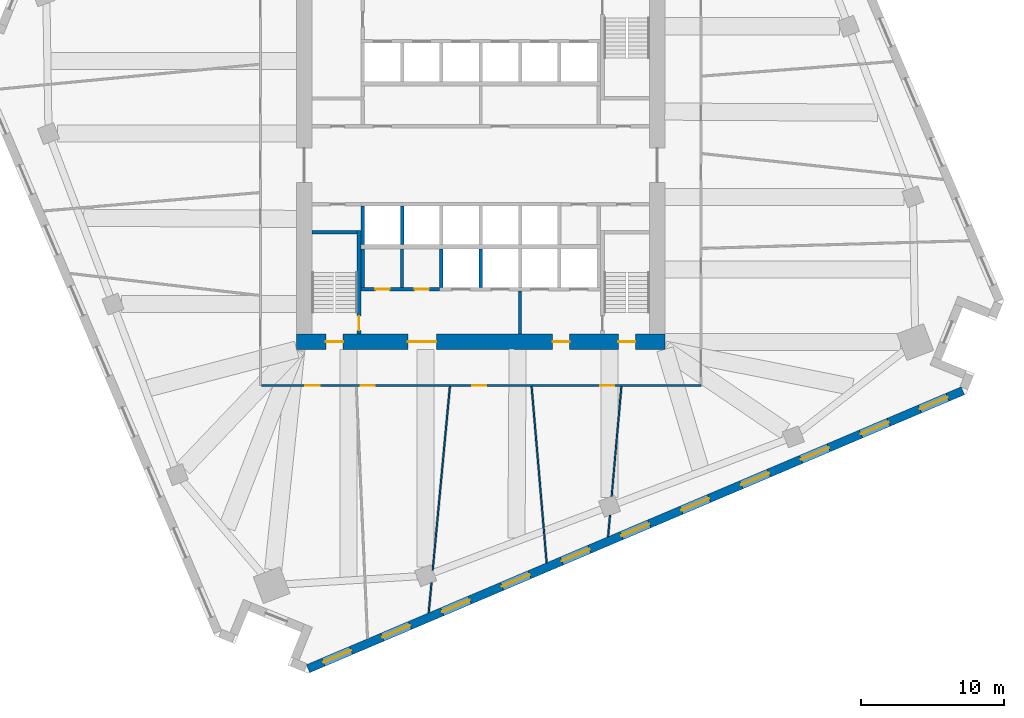
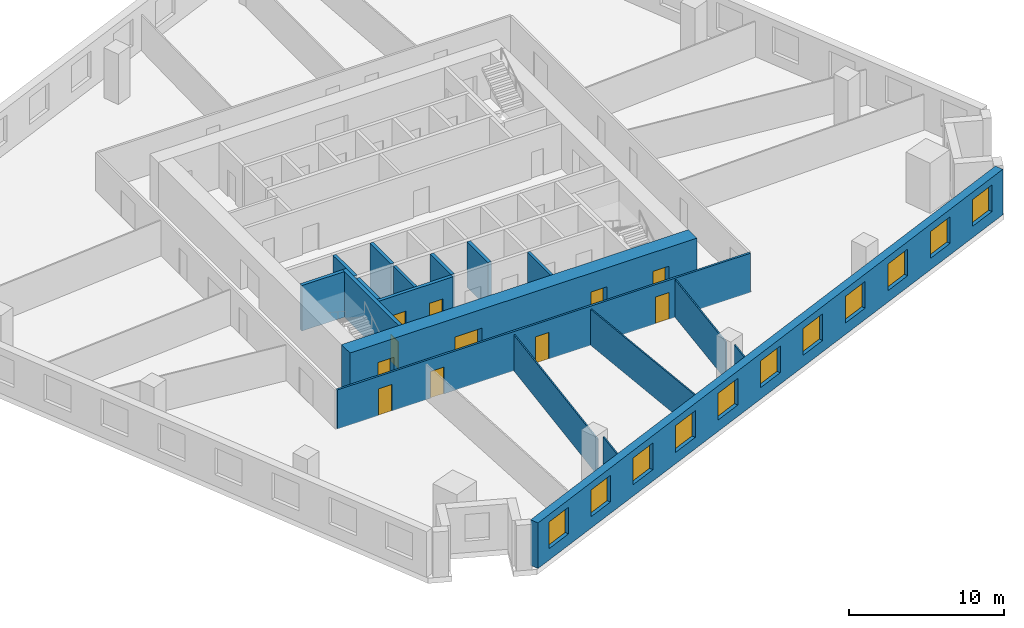
# One storey, part 6 of 12: 18 walls, 11 doors, 11 windows, 22 openings.
"""IFC4 building model written with IfcOpenShell, lengths in metres."""

from ifc_helpers import new_model, si_unit, direction, frame, frame_2d, origin, place, context, subcontext, project, spatial, rectangle, extrude, material, layer, layer_set, type_object, element, fill, save


model = new_model("IFC4")

# Units and contexts
model_context = context("Model", 3, precision=1e-05, world=origin(), true_north=direction((0.0, 1.0)))
body_context = subcontext(model_context, "Body", "Model", "MODEL_VIEW")
ifc_project = project(units=[si_unit("LENGTHUNIT", "METRE"), si_unit("AREAUNIT", "SQUARE_METRE"), si_unit("VOLUMEUNIT", "CUBIC_METRE"), si_unit("PLANEANGLEUNIT", "RADIAN"), si_unit("MASSUNIT", "GRAM", prefix="KILO")], contexts=[model_context])

# Site, building, storey
site_placement = place(None, origin())
site = spatial("IfcSite", under=ifc_project, at=site_placement, CompositionType="ELEMENT")
building_placement = place(site_placement, origin())
building = spatial("IfcBuilding", under=site, at=building_placement, Name="Dilmun Exchange Tower", CompositionType="ELEMENT")
storey_placement = place(building_placement, frame((0.0, 0.0, 118.10009765625)))
storey = spatial("IfcBuildingStorey", under=building, at=storey_placement, Name="L27", CompositionType="ELEMENT", Elevation=118.10009765625)

# Walls
ifc_material_1 = material(Name="Concrete C40/50", Category="concrete")
ifc_layer_1 = layer(ifc_material_1, 0.199951171875)
ifc_layer_set_1 = layer_set([ifc_layer_1], Name="Concrete C40/50")
wall_type_1 = type_object("IfcWallType", Name="Core partition wall 200", PredefinedType="PARTITIONING", material=ifc_layer_set_1)
wall_1_placement = place(storey_placement, frame((2.75, -11.794921875, 0.0), z_axis=(0.0, 0.0, 1.0), x_axis=(0.0, 1.0, 0.0)))
element("IfcWall", 1, at=wall_1_placement, inside=storey, type_object=wall_type_1, Name="L27 core partition wall 01", PredefinedType="PARTITIONING", context=body_context, shape_type="SweptSolid", body=[
    extrude(rectangle(XDim=2.989990234375, YDim=0.199951171875, at=frame_2d((1.4951171875, 0.0))), origin(), (0.0, 0.0, 1.0), 3.579833984375),
])
wall_2_placement = place(storey_placement, frame((-5.5, -8.544921875, 0.0), z_axis=(0.0, 0.0, 1.0), x_axis=(0.0, 1.0, 0.0)))
element("IfcWall", 2, at=wall_2_placement, inside=storey, type_object=wall_type_1, Name="L27 core partition wall 04", PredefinedType="PARTITIONING", context=body_context, shape_type="SweptSolid", body=[
    extrude(rectangle(XDim=2.68994140625, YDim=0.199951171875, at=frame_2d((1.344970703125, 0.0))), origin(), (0.0, 0.0, 1.0), 3.579833984375),
])

# Wall, openings, doors
ifc_layer_2 = layer(ifc_material_1, 0.25)
ifc_layer_set_2 = layer_set([ifc_layer_2], Name="Concrete C40/50")
wall_type_2 = type_object("IfcWallType", Name="Core partition wall 250", PredefinedType="PARTITIONING", material=ifc_layer_set_2)
wall_3_placement = place(storey_placement, frame((-8.3701171875, -8.675048828125, 0.0), z_axis=(0.0, 0.0, 1.0), x_axis=(1.0, 0.0, 0.0)))
wall_3 = element("IfcWall", 3, at=wall_3_placement, inside=storey, type_object=wall_type_2, Name="L27 core partition wall 02", PredefinedType="PARTITIONING", context=body_context, shape_type="SweptSolid", body=[
    extrude(rectangle(XDim=5.490234375, YDim=0.25, at=frame_2d((2.7451171875, 0.0))), origin(), (0.0, 0.0, 1.0), 3.579833984375),
])
opening_1_placement = place(wall_3_placement, frame((0.9951171875, 0.0, 0.0)))
opening_1 = element("IfcOpeningElement", 4, at=opening_1_placement, cuts=wall_3, Name="Opening CD4", PredefinedType="OPENING", context=body_context, shape_type="SweptSolid", body=[
    extrude(rectangle(XDim=1.0, YDim=2.10009765625, at=frame_2d((0.5, 1.050048828125))), frame((0.0, 0.135009765625, 0.0), z_axis=(0.0, -1.0, 0.0), x_axis=(1.0, 0.0, 0.0)), (0.0, 0.0, 1.0), 0.27001953125),
])
opening_2_placement = place(wall_3_placement, frame((3.7451171875, 0.0, 0.0)))
opening_2 = element("IfcOpeningElement", 5, at=opening_2_placement, cuts=wall_3, Name="Opening CD4", PredefinedType="OPENING", context=body_context, shape_type="SweptSolid", body=[
    extrude(rectangle(XDim=1.0, YDim=2.10009765625, at=frame_2d((0.5, 1.050048828125))), frame((0.0, 0.135009765625, 0.0), z_axis=(0.0, -1.0, 0.0), x_axis=(1.0, 0.0, 0.0)), (0.0, 0.0, 1.0), 0.27001953125),
])
ifc_material_2 = material(Name="Fire-rated steel door set", Category="steel")
door_type_1 = type_object("IfcDoorType", Name="Core room door 1000x2100", OperationType="SINGLE_SWING_LEFT", PredefinedType="DOOR", material=ifc_material_2)
door_1_placement = place(opening_1_placement, origin())
door_1 = element("IfcDoor", 6, at=door_1_placement, inside=storey, type_object=door_type_1, Name="L27 door Male WC", OperationType="SINGLE_SWING_RIGHT", OverallHeight=2.10009765625, OverallWidth=1.0, PredefinedType="DOOR", context=body_context, shape_type="SweptSolid", body=[
    extrude(rectangle(XDim=1.0, YDim=2.10009765625, at=frame_2d((0.5, 1.050048828125))), frame((0.0, 0.02490234375, 0.0), z_axis=(0.0, -1.0, 0.0), x_axis=(1.0, 0.0, 0.0)), (0.0, 0.0, 1.0), 0.050048828125),
])
fill(opening_1, door_1)
door_2_placement = place(opening_2_placement, origin())
door_2 = element("IfcDoor", 7, at=door_2_placement, inside=storey, type_object=door_type_1, Name="L27 door Female WC", OperationType="SINGLE_SWING_RIGHT", OverallHeight=2.10009765625, OverallWidth=1.0, PredefinedType="DOOR", context=body_context, shape_type="SweptSolid", body=[
    extrude(rectangle(XDim=1.0, YDim=2.10009765625, at=frame_2d((0.5, 1.050048828125))), frame((0.0, 0.02490234375, 0.0), z_axis=(0.0, -1.0, 0.0), x_axis=(1.0, 0.0, 0.0)), (0.0, 0.0, 1.0), 0.050048828125),
])
fill(opening_2, door_2)

# Wall
wall_4_placement = place(storey_placement, frame((-8.25, -8.544921875, 0.0), z_axis=(0.0, 0.0, 1.0), x_axis=(0.0, 1.0, 0.0)))
element("IfcWall", 8, at=wall_4_placement, inside=storey, type_object=wall_type_2, Name="L27 core partition wall 03", PredefinedType="PARTITIONING", context=body_context, shape_type="SweptSolid", body=[
    extrude(rectangle(XDim=2.68994140625, YDim=0.25, at=frame_2d((1.344970703125, 0.0))), origin(), (0.0, 0.0, 1.0), 3.579833984375),
])

# Wall, openings, doors
ifc_material_3 = material(Name="Concrete C80/95", Category="concrete")
ifc_layer_3 = layer(ifc_material_3, 1.10009765625)
ifc_layer_set_3 = layer_set([ifc_layer_3], Name="Concrete C80/95")
wall_type_3 = type_object("IfcWallType", Name="Core shear wall 1100 Concrete C80/95", PredefinedType="SHEAR", material=ifc_layer_set_3)
wall_5_placement = place(storey_placement, frame((-12.89990234375, -12.35009765625, 0.0), z_axis=(0.0, 0.0, 1.0), x_axis=(1.0, 0.0, 0.0)))
wall_5 = element("IfcWall", 9, at=wall_5_placement, inside=storey, type_object=wall_type_3, Name="L27 core shear wall S", PredefinedType="SHEAR", context=body_context, shape_type="SweptSolid", body=[
    extrude(rectangle(XDim=25.7998046875, YDim=1.10009765625, at=frame_2d((12.89990234375, 0.0))), origin(), (0.0, 0.0, 1.0), 3.579833984375),
])
opening_3_placement = place(wall_5_placement, frame((7.800048828125, 0.0, 0.0)))
opening_3 = element("IfcOpeningElement", 10, at=opening_3_placement, cuts=wall_5, Name="Opening CD2", PredefinedType="OPENING", context=body_context, shape_type="SweptSolid", body=[
    extrude(rectangle(XDim=2.0, YDim=2.10009765625, at=frame_2d((1.0, 1.050048828125))), frame((0.0, 0.56005859375, 0.0), z_axis=(0.0, -1.0, 0.0), x_axis=(1.0, 0.0, 0.0)), (0.0, 0.0, 1.0), 1.1201171875),
])
opening_4_placement = place(wall_5_placement, frame((17.925048828125, 0.0, 0.0)))
opening_4 = element("IfcOpeningElement", 11, at=opening_4_placement, cuts=wall_5, Name="Opening CD3", PredefinedType="OPENING", context=body_context, shape_type="SweptSolid", body=[
    extrude(rectangle(XDim=1.199951171875, YDim=2.10009765625, at=frame_2d((0.60009765625, 1.050048828125))), frame((0.0, 0.56005859375, 0.0), z_axis=(0.0, -1.0, 0.0), x_axis=(1.0, 0.0, 0.0)), (0.0, 0.0, 1.0), 1.1201171875),
])
opening_5_placement = place(wall_5_placement, frame((2.074951171875, 0.0, 0.0)))
opening_5 = element("IfcOpeningElement", 12, at=opening_5_placement, cuts=wall_5, Name="Opening CD3", PredefinedType="OPENING", context=body_context, shape_type="SweptSolid", body=[
    extrude(rectangle(XDim=1.199951171875, YDim=2.10009765625, at=frame_2d((0.60009765625, 1.050048828125))), frame((0.0, 0.56005859375, 0.0), z_axis=(0.0, -1.0, 0.0), x_axis=(1.0, 0.0, 0.0)), (0.0, 0.0, 1.0), 1.1201171875),
])
opening_6_placement = place(wall_5_placement, frame((22.52490234375, 0.0, 0.0)))
opening_6 = element("IfcOpeningElement", 13, at=opening_6_placement, cuts=wall_5, Name="Opening CD3", PredefinedType="OPENING", context=body_context, shape_type="SweptSolid", body=[
    extrude(rectangle(XDim=1.199951171875, YDim=2.10009765625, at=frame_2d((0.60009765625, 1.050048828125))), frame((0.0, 0.56005859375, 0.0), z_axis=(0.0, -1.0, 0.0), x_axis=(1.0, 0.0, 0.0)), (0.0, 0.0, 1.0), 1.1201171875),
])
door_type_2 = type_object("IfcDoorType", Name="Core service door 2000x2100", OperationType="DOUBLE_DOOR_DOUBLE_SWING", PredefinedType="DOOR", material=ifc_material_2)
door_3_placement = place(opening_3_placement, origin())
door_3 = element("IfcDoor", 14, at=door_3_placement, inside=storey, type_object=door_type_2, Name="L27 door South service lobby", OperationType="SINGLE_SWING_LEFT", OverallHeight=2.10009765625, OverallWidth=2.0, PredefinedType="DOOR", context=body_context, shape_type="SweptSolid", body=[
    extrude(rectangle(XDim=2.0, YDim=2.10009765625, at=frame_2d((1.0, 1.050048828125))), frame((0.0, 0.02490234375, 0.0), z_axis=(0.0, -1.0, 0.0), x_axis=(1.0, 0.0, 0.0)), (0.0, 0.0, 1.0), 0.050048828125),
])
fill(opening_3, door_3)
door_type_3 = type_object("IfcDoorType", Name="Stair exit door 1200x2100", OperationType="SINGLE_SWING_LEFT", PredefinedType="DOOR", material=ifc_material_2)
door_4_placement = place(opening_4_placement, origin())
door_4 = element("IfcDoor", 15, at=door_4_placement, inside=storey, type_object=door_type_3, Name="L27 door Fire-fighting lobby", OperationType="SINGLE_SWING_LEFT", OverallHeight=2.10009765625, OverallWidth=1.199951171875, PredefinedType="DOOR", context=body_context, shape_type="SweptSolid", body=[
    extrude(rectangle(XDim=1.199951171875, YDim=2.10009765625, at=frame_2d((0.60009765625, 1.050048828125))), frame((0.0, 0.02490234375, 0.0), z_axis=(0.0, -1.0, 0.0), x_axis=(1.0, 0.0, 0.0)), (0.0, 0.0, 1.0), 0.050048828125),
])
fill(opening_4, door_4)
door_5_placement = place(opening_5_placement, origin())
door_5 = element("IfcDoor", 16, at=door_5_placement, inside=storey, type_object=door_type_3, Name="L27 door Stair ST2", OperationType="SINGLE_SWING_LEFT", OverallHeight=2.10009765625, OverallWidth=1.199951171875, PredefinedType="DOOR", context=body_context, shape_type="SweptSolid", body=[
    extrude(rectangle(XDim=1.199951171875, YDim=2.10009765625, at=frame_2d((0.60009765625, 1.050048828125))), frame((0.0, 0.02490234375, 0.0), z_axis=(0.0, -1.0, 0.0), x_axis=(1.0, 0.0, 0.0)), (0.0, 0.0, 1.0), 0.050048828125),
])
fill(opening_5, door_5)
door_6_placement = place(opening_6_placement, origin())
door_6 = element("IfcDoor", 17, at=door_6_placement, inside=storey, type_object=door_type_3, Name="L27 door Stair ST3", OperationType="SINGLE_SWING_LEFT", OverallHeight=2.10009765625, OverallWidth=1.199951171875, PredefinedType="DOOR", context=body_context, shape_type="SweptSolid", body=[
    extrude(rectangle(XDim=1.199951171875, YDim=2.10009765625, at=frame_2d((0.60009765625, 1.050048828125))), frame((0.0, 0.02490234375, 0.0), z_axis=(0.0, -1.0, 0.0), x_axis=(1.0, 0.0, 0.0)), (0.0, 0.0, 1.0), 0.050048828125),
])
fill(opening_6, door_6)

ifc_material_4 = material(Name="Corridor wall 150")
ifc_layer_4 = layer(ifc_material_4, 0.14990234375)
ifc_layer_set_4 = layer_set([ifc_layer_4], Name="Corridor wall 150")
wall_type_4 = type_object("IfcWallType", Name="Corridor wall 150", PredefinedType="PARTITIONING", material=ifc_layer_set_4)
wall_6_placement = place(storey_placement, frame((-15.324951171875, -15.39990234375, 0.0), z_axis=(0.0, 0.0, 1.0), x_axis=(1.0, 0.0, 0.0)))
wall_6 = element("IfcWall", 18, at=wall_6_placement, inside=storey, type_object=wall_type_4, Name="Corridor wall", PredefinedType="PARTITIONING", context=body_context, shape_type="SweptSolid", body=[
    extrude(rectangle(XDim=30.724853515625, YDim=0.14990234375, at=frame_2d((15.3623046875, 0.0))), origin(), (0.0, 0.0, 1.0), 3.079833984375),
])
opening_7_placement = place(wall_6_placement, frame((3.050048828125, 0.0, 0.0)))
opening_7 = element("IfcOpeningElement", 19, at=opening_7_placement, cuts=wall_6, Name="Opening TF26-D07", PredefinedType="OPENING", context=body_context, shape_type="SweptSolid", body=[
    extrude(rectangle(XDim=1.0, YDim=2.10009765625, at=frame_2d((0.5, 1.050048828125))), frame((0.0, 0.0849609375, 0.0), z_axis=(0.0, -1.0, 0.0), x_axis=(1.0, 0.0, 0.0)), (0.0, 0.0, 1.0), 0.169921875),
])
opening_8_placement = place(wall_6_placement, frame((6.91552734375, 0.0, 0.0)))
opening_8 = element("IfcOpeningElement", 20, at=opening_8_placement, cuts=wall_6, Name="Opening TF26-D08", PredefinedType="OPENING", context=body_context, shape_type="SweptSolid", body=[
    extrude(rectangle(XDim=1.0, YDim=2.10009765625, at=frame_2d((0.5, 1.050048828125))), frame((0.0, 0.0849609375, 0.0), z_axis=(0.0, -1.0, 0.0), x_axis=(1.0, 0.0, 0.0)), (0.0, 0.0, 1.0), 0.169921875),
])
opening_9_placement = place(wall_6_placement, frame((14.72216796875, 0.0, 0.0)))
opening_9 = element("IfcOpeningElement", 21, at=opening_9_placement, cuts=wall_6, Name="Opening TF26-D10", PredefinedType="OPENING", context=body_context, shape_type="SweptSolid", body=[
    extrude(rectangle(XDim=1.0, YDim=2.10009765625, at=frame_2d((0.5, 1.050048828125))), frame((0.0, 0.0849609375, 0.0), z_axis=(0.0, -1.0, 0.0), x_axis=(1.0, 0.0, 0.0)), (0.0, 0.0, 1.0), 0.169921875),
])
opening_10_placement = place(wall_6_placement, frame((23.67724609375, 0.0, 0.0)))
opening_10 = element("IfcOpeningElement", 22, at=opening_10_placement, cuts=wall_6, Name="Opening TF26-D12", PredefinedType="OPENING", context=body_context, shape_type="SweptSolid", body=[
    extrude(rectangle(XDim=1.0, YDim=2.10009765625, at=frame_2d((0.5, 1.050048828125))), frame((0.0, 0.0849609375, 0.0), z_axis=(0.0, -1.0, 0.0), x_axis=(1.0, 0.0, 0.0)), (0.0, 0.0, 1.0), 0.169921875),
])
ifc_material_5 = material(Name="Fire door 1000 x 2100")
door_type_4 = type_object("IfcDoorType", Name="Fire door 1000 x 2100", OperationType="NOTDEFINED", PredefinedType="DOOR", material=ifc_material_5)
door_7_placement = place(opening_7_placement, frame((1.0, 0.0, 0.0), z_axis=(0.0, 0.0, 1.0), x_axis=(-1.0, 0.0, 0.0)))
door_7 = element("IfcDoor", 23, at=door_7_placement, inside=storey, type_object=door_type_4, Name="Door TF26-D07", OperationType="SINGLE_SWING_LEFT", OverallHeight=2.10009765625, OverallWidth=1.0, PredefinedType="DOOR", context=body_context, shape_type="SweptSolid", body=[
    extrude(rectangle(XDim=1.0, YDim=2.10009765625, at=frame_2d((0.5, 1.050048828125))), frame((0.0, 0.02490234375, 0.0), z_axis=(0.0, -1.0, 0.0), x_axis=(1.0, 0.0, 0.0)), (0.0, 0.0, 1.0), 0.050048828125),
])
fill(opening_7, door_7)
door_8_placement = place(opening_8_placement, frame((1.0, 0.0, 0.0), z_axis=(0.0, 0.0, 1.0), x_axis=(-1.0, 0.0, 0.0)))
door_8 = element("IfcDoor", 24, at=door_8_placement, inside=storey, type_object=door_type_4, Name="Door TF26-D08", OperationType="SINGLE_SWING_RIGHT", OverallHeight=2.10009765625, OverallWidth=1.0, PredefinedType="DOOR", context=body_context, shape_type="SweptSolid", body=[
    extrude(rectangle(XDim=1.0, YDim=2.10009765625, at=frame_2d((0.5, 1.050048828125))), frame((0.0, 0.02490234375, 0.0), z_axis=(0.0, -1.0, 0.0), x_axis=(1.0, 0.0, 0.0)), (0.0, 0.0, 1.0), 0.050048828125),
])
fill(opening_8, door_8)
door_9_placement = place(opening_9_placement, frame((1.0, 0.0, 0.0), z_axis=(0.0, 0.0, 1.0), x_axis=(-1.0, 0.0, 0.0)))
door_9 = element("IfcDoor", 25, at=door_9_placement, inside=storey, type_object=door_type_4, Name="Door TF26-D10", OperationType="SINGLE_SWING_RIGHT", OverallHeight=2.10009765625, OverallWidth=1.0, PredefinedType="DOOR", context=body_context, shape_type="SweptSolid", body=[
    extrude(rectangle(XDim=1.0, YDim=2.10009765625, at=frame_2d((0.5, 1.050048828125))), frame((0.0, 0.02490234375, 0.0), z_axis=(0.0, -1.0, 0.0), x_axis=(1.0, 0.0, 0.0)), (0.0, 0.0, 1.0), 0.050048828125),
])
fill(opening_9, door_9)
door_10_placement = place(opening_10_placement, frame((1.0, 0.0, 0.0), z_axis=(0.0, 0.0, 1.0), x_axis=(-1.0, 0.0, 0.0)))
door_10 = element("IfcDoor", 26, at=door_10_placement, inside=storey, type_object=door_type_4, Name="Door TF26-D12", OperationType="SINGLE_SWING_LEFT", OverallHeight=2.10009765625, OverallWidth=1.0, PredefinedType="DOOR", context=body_context, shape_type="SweptSolid", body=[
    extrude(rectangle(XDim=1.0, YDim=2.10009765625, at=frame_2d((0.5, 1.050048828125))), frame((0.0, 0.02490234375, 0.0), z_axis=(0.0, -1.0, 0.0), x_axis=(1.0, 0.0, 0.0)), (0.0, 0.0, 1.0), 0.050048828125),
])
fill(opening_10, door_10)

# Walls
ifc_layer_5 = layer(ifc_material_1, 0.25)
ifc_layer_set_5 = layer_set([ifc_layer_5], Name="Concrete C40/50")
wall_type_5 = type_object("IfcWallType", Name="Lift shaft wall 250", PredefinedType="SOLIDWALL", material=ifc_layer_set_5)
for number, where, z_axis, x_axis, name in (
    (27, (-8.25, -5.550048828125, 0.0), (0.0, 0.0, 1.0), (0.0, 1.0, 0.0), "L27 lift shaft divider S10"),
    (28, (-5.5, -5.550048828125, 0.0), (0.0, 0.0, 1.0), (0.0, 1.0, 0.0), "L27 lift shaft divider S11"),
    (29, (-2.75, -8.550048828125, 0.0), (0.0, 0.0, 1.0), (0.0, 1.0, 0.0), "L27 lift shaft divider S22"),
    (30, (0.0, -8.550048828125, 0.0), (0.0, 0.0, 1.0), (0.0, 1.0, 0.0), "L27 lift shaft divider S23"),
):
    element("IfcWall", number, at=place(storey_placement, frame(where, z_axis=z_axis, x_axis=x_axis)), inside=storey, type_object=wall_type_5, Name=name, PredefinedType="SOLIDWALL", context=body_context, shape_type="SweptSolid", body=[
        extrude(rectangle(XDim=2.699951171875, YDim=0.25, at=frame_2d((1.35009765625, 0.0))), origin(), (0.0, 0.0, 1.0), 3.579833984375),
    ])
ifc_material_6 = material(Name="Partition 100")
ifc_layer_6 = layer(ifc_material_6, 0.10009765625)
ifc_layer_set_6 = layer_set([ifc_layer_6], Name="Partition 100")
wall_type_6 = type_object("IfcWallType", Name="Partition 100", PredefinedType="PARTITIONING", material=ifc_layer_set_6)
wall_7_placement = place(storey_placement, frame((-3.64013671875, -31.30908203125, 0.0), z_axis=(0.0, 0.0, 1.0), x_axis=(0.093362131985, 0.995632217393, 0.0)))
element("IfcWall", 31, at=wall_7_placement, inside=storey, type_object=wall_type_6, Name="Partition", PredefinedType="PARTITIONING", context=body_context, shape_type="SweptSolid", body=[
    extrude(rectangle(XDim=2.1181640625, YDim=0.10009765625, at=frame_2d((1.05908203125, 0.0))), origin(), (0.0, 0.0, 1.0), 3.579833984375),
])
wall_8_placement = place(storey_placement, frame((-3.360107421875, -28.321044921875, 0.0), z_axis=(0.0, 0.0, 1.0), x_axis=(0.093320771667, 0.995636094954, 0.0)))
element("IfcWall", 32, at=wall_8_placement, inside=storey, type_object=wall_type_6, Name="Partition", PredefinedType="PARTITIONING", context=body_context, shape_type="SweptSolid", body=[
    extrude(rectangle(XDim=12.897705078125, YDim=0.10009765625, at=frame_2d((6.44873046875, 0.0))), origin(), (0.0, 0.0, 1.0), 2.829833984375),
])
wall_9_placement = place(storey_placement, frame((3.558837890625, -15.479248046875, 0.0), z_axis=(0.0, 0.0, 1.0), x_axis=(0.08504742067, -0.996376904709, 0.0)))
element("IfcWall", 33, at=wall_9_placement, inside=storey, type_object=wall_type_6, Name="Partition", PredefinedType="PARTITIONING", context=body_context, shape_type="SweptSolid", body=[
    extrude(rectangle(XDim=12.37255859375, YDim=0.10009765625, at=frame_2d((6.186279296875, 0.0))), origin(), (0.0, 0.0, 1.0), 2.829833984375),
])
wall_10_placement = place(storey_placement, frame((8.908203125, -25.98291015625, 0.0), z_axis=(0.0, 0.0, 1.0), x_axis=(0.088149646839, 0.996107243103, 0.0)))
element("IfcWall", 34, at=wall_10_placement, inside=storey, type_object=wall_type_6, Name="Partition", PredefinedType="PARTITIONING", context=body_context, shape_type="SweptSolid", body=[
    extrude(rectangle(XDim=1.50390625, YDim=0.10009765625, at=frame_2d((0.751953125, 0.0))), origin(), (0.0, 0.0, 1.0), 3.579833984375),
])
wall_11_placement = place(storey_placement, frame((9.158203125, -23.15771484375, 0.0), z_axis=(0.0, 0.0, 1.0), x_axis=(0.088176658473, 0.996104852363, 0.0)))
element("IfcWall", 35, at=wall_11_placement, inside=storey, type_object=wall_type_6, Name="Partition", PredefinedType="PARTITIONING", context=body_context, shape_type="SweptSolid", body=[
    extrude(rectangle(XDim=7.708251953125, YDim=0.10009765625, at=frame_2d((3.85400390625, 0.0))), origin(), (0.0, 0.0, 1.0), 2.9599609375),
])

# Wall, openings, windows
ifc_material_7 = material(Name="Precast concrete C50/60", Category="concrete")
ifc_layer_7 = layer(ifc_material_7, 0.60009765625)
ifc_layer_set_7 = layer_set([ifc_layer_7], Name="Precast concrete C50/60")
wall_type_7 = type_object("IfcWallType", Name="Precast stone-clad wall 600", PredefinedType="STANDARD", material=ifc_layer_set_7)
wall_12_placement = place(storey_placement, frame((-12.074951171875, -35.2177734375, 0.0), z_axis=(0.0, 0.0, 1.0), x_axis=(0.920504562186, 0.39073181467, 0.0)))
wall_12 = element("IfcWall", 36, at=wall_12_placement, inside=storey, type_object=wall_type_7, Name="Facade wall L27-15", PredefinedType="STANDARD", context=body_context, shape_type="SweptSolid", body=[
    extrude(rectangle(XDim=49.75146484375, YDim=0.60009765625, at=frame_2d((24.875732421875, 0.0))), origin(), (0.0, 0.0, 1.0), 3.579833984375),
])
opening_11_placement = place(wall_12_placement, frame((1.16064453125, 0.0, 0.89990234375)))
opening_11 = element("IfcOpeningElement", 37, at=opening_11_placement, cuts=wall_12, Name="Opening W210-210", PredefinedType="OPENING", context=body_context, shape_type="SweptSolid", body=[
    extrude(rectangle(XDim=2.10009765625, YDim=2.10009765625, at=frame_2d((1.050048828125, 1.050048828125))), frame((0.0, 0.31005859375, 0.0), z_axis=(0.0, -1.0, 0.0), x_axis=(1.0, 0.0, 0.0)), (0.0, 0.0, 1.0), 0.6201171875),
])
opening_12_placement = place(wall_12_placement, frame((5.643798828125, 0.0, 0.89990234375)))
opening_12 = element("IfcOpeningElement", 38, at=opening_12_placement, cuts=wall_12, Name="Opening W210-210", PredefinedType="OPENING", context=body_context, shape_type="SweptSolid", body=[
    extrude(rectangle(XDim=2.10009765625, YDim=2.10009765625, at=frame_2d((1.050048828125, 1.050048828125))), frame((0.0, 0.31005859375, 0.0), z_axis=(0.0, -1.0, 0.0), x_axis=(1.0, 0.0, 0.0)), (0.0, 0.0, 1.0), 0.6201171875),
])
opening_13_placement = place(wall_12_placement, frame((10.189453125, 0.0, 0.89990234375)))
opening_13 = element("IfcOpeningElement", 39, at=opening_13_placement, cuts=wall_12, Name="Opening W210-210", PredefinedType="OPENING", context=body_context, shape_type="SweptSolid", body=[
    extrude(rectangle(XDim=2.10009765625, YDim=2.10009765625, at=frame_2d((1.050048828125, 1.050048828125))), frame((0.0, 0.31005859375, 0.0), z_axis=(0.0, -1.0, 0.0), x_axis=(1.0, 0.0, 0.0)), (0.0, 0.0, 1.0), 0.6201171875),
])
opening_14_placement = place(wall_12_placement, frame((14.73486328125, 0.0, 0.89990234375)))
opening_14 = element("IfcOpeningElement", 40, at=opening_14_placement, cuts=wall_12, Name="Opening W210-210", PredefinedType="OPENING", context=body_context, shape_type="SweptSolid", body=[
    extrude(rectangle(XDim=2.10009765625, YDim=2.10009765625, at=frame_2d((1.050048828125, 1.050048828125))), frame((0.0, 0.31005859375, 0.0), z_axis=(0.0, -1.0, 0.0), x_axis=(1.0, 0.0, 0.0)), (0.0, 0.0, 1.0), 0.6201171875),
])
opening_15_placement = place(wall_12_placement, frame((19.2802734375, 0.0, 0.89990234375)))
opening_15 = element("IfcOpeningElement", 41, at=opening_15_placement, cuts=wall_12, Name="Opening W210-210", PredefinedType="OPENING", context=body_context, shape_type="SweptSolid", body=[
    extrude(rectangle(XDim=2.10009765625, YDim=2.10009765625, at=frame_2d((1.050048828125, 1.050048828125))), frame((0.0, 0.31005859375, 0.0), z_axis=(0.0, -1.0, 0.0), x_axis=(1.0, 0.0, 0.0)), (0.0, 0.0, 1.0), 0.6201171875),
])
opening_16_placement = place(wall_12_placement, frame((23.82568359375, 0.0, 0.89990234375)))
opening_16 = element("IfcOpeningElement", 42, at=opening_16_placement, cuts=wall_12, Name="Opening W210-210", PredefinedType="OPENING", context=body_context, shape_type="SweptSolid", body=[
    extrude(rectangle(XDim=2.10009765625, YDim=2.10009765625, at=frame_2d((1.050048828125, 1.050048828125))), frame((0.0, 0.31005859375, 0.0), z_axis=(0.0, -1.0, 0.0), x_axis=(1.0, 0.0, 0.0)), (0.0, 0.0, 1.0), 0.6201171875),
])
opening_17_placement = place(wall_12_placement, frame((28.37109375, 0.0, 0.89990234375)))
opening_17 = element("IfcOpeningElement", 43, at=opening_17_placement, cuts=wall_12, Name="Opening W210-210", PredefinedType="OPENING", context=body_context, shape_type="SweptSolid", body=[
    extrude(rectangle(XDim=2.10009765625, YDim=2.10009765625, at=frame_2d((1.050048828125, 1.050048828125))), frame((0.0, 0.31005859375, 0.0), z_axis=(0.0, -1.0, 0.0), x_axis=(1.0, 0.0, 0.0)), (0.0, 0.0, 1.0), 0.6201171875),
])
opening_18_placement = place(wall_12_placement, frame((32.91650390625, 0.0, 0.89990234375)))
opening_18 = element("IfcOpeningElement", 44, at=opening_18_placement, cuts=wall_12, Name="Opening W210-210", PredefinedType="OPENING", context=body_context, shape_type="SweptSolid", body=[
    extrude(rectangle(XDim=2.10009765625, YDim=2.10009765625, at=frame_2d((1.050048828125, 1.050048828125))), frame((0.0, 0.31005859375, 0.0), z_axis=(0.0, -1.0, 0.0), x_axis=(1.0, 0.0, 0.0)), (0.0, 0.0, 1.0), 0.6201171875),
])
opening_19_placement = place(wall_12_placement, frame((37.462158203125, 0.0, 0.89990234375)))
opening_19 = element("IfcOpeningElement", 45, at=opening_19_placement, cuts=wall_12, Name="Opening W210-210", PredefinedType="OPENING", context=body_context, shape_type="SweptSolid", body=[
    extrude(rectangle(XDim=2.10009765625, YDim=2.10009765625, at=frame_2d((1.050048828125, 1.050048828125))), frame((0.0, 0.31005859375, 0.0), z_axis=(0.0, -1.0, 0.0), x_axis=(1.0, 0.0, 0.0)), (0.0, 0.0, 1.0), 0.6201171875),
])
opening_20_placement = place(wall_12_placement, frame((42.007568359375, 0.0, 0.89990234375)))
opening_20 = element("IfcOpeningElement", 46, at=opening_20_placement, cuts=wall_12, Name="Opening W210-210", PredefinedType="OPENING", context=body_context, shape_type="SweptSolid", body=[
    extrude(rectangle(XDim=2.10009765625, YDim=2.10009765625, at=frame_2d((1.050048828125, 1.050048828125))), frame((0.0, 0.31005859375, 0.0), z_axis=(0.0, -1.0, 0.0), x_axis=(1.0, 0.0, 0.0)), (0.0, 0.0, 1.0), 0.6201171875),
])
opening_21_placement = place(wall_12_placement, frame((46.490966796875, 0.0, 0.89990234375)))
opening_21 = element("IfcOpeningElement", 47, at=opening_21_placement, cuts=wall_12, Name="Opening W210-210", PredefinedType="OPENING", context=body_context, shape_type="SweptSolid", body=[
    extrude(rectangle(XDim=2.10009765625, YDim=2.10009765625, at=frame_2d((1.050048828125, 1.050048828125))), frame((0.0, 0.31005859375, 0.0), z_axis=(0.0, -1.0, 0.0), x_axis=(1.0, 0.0, 0.0)), (0.0, 0.0, 1.0), 0.6201171875),
])
ifc_material_8 = material(Name="Clear low-emissivity glass in aluminium frame", Category="aluminium")
window_type = type_object("IfcWindowType", Name="Punched window 2100 x 2100", PartitioningType="DOUBLE_PANEL_VERTICAL", PredefinedType="WINDOW", material=ifc_material_8)
window_1_placement = place(opening_11_placement, origin())
window_1 = element("IfcWindow", 48, at=window_1_placement, inside=storey, type_object=window_type, Name="Window 16.1", OverallHeight=2.10009765625, OverallWidth=2.10009765625, PartitioningType="SINGLE_PANEL", PredefinedType="WINDOW", context=body_context, shape_type="SweptSolid", body=[
    extrude(rectangle(XDim=2.10009765625, YDim=2.10009765625, at=frame_2d((1.050048828125, 1.050048828125))), frame((0.0, 0.030029296875, 0.0), z_axis=(0.0, -1.0, 0.0), x_axis=(1.0, 0.0, 0.0)), (0.0, 0.0, 1.0), 0.06005859375),
])
fill(opening_11, window_1)
window_2_placement = place(opening_12_placement, origin())
window_2 = element("IfcWindow", 49, at=window_2_placement, inside=storey, type_object=window_type, Name="Window 16.2", OverallHeight=2.10009765625, OverallWidth=2.10009765625, PartitioningType="SINGLE_PANEL", PredefinedType="WINDOW", context=body_context, shape_type="SweptSolid", body=[
    extrude(rectangle(XDim=2.10009765625, YDim=2.10009765625, at=frame_2d((1.050048828125, 1.050048828125))), frame((0.0, 0.030029296875, 0.0), z_axis=(0.0, -1.0, 0.0), x_axis=(1.0, 0.0, 0.0)), (0.0, 0.0, 1.0), 0.06005859375),
])
fill(opening_12, window_2)
window_3_placement = place(opening_13_placement, origin())
window_3 = element("IfcWindow", 50, at=window_3_placement, inside=storey, type_object=window_type, Name="Window 16.3", OverallHeight=2.10009765625, OverallWidth=2.10009765625, PartitioningType="SINGLE_PANEL", PredefinedType="WINDOW", context=body_context, shape_type="SweptSolid", body=[
    extrude(rectangle(XDim=2.10009765625, YDim=2.10009765625, at=frame_2d((1.050048828125, 1.050048828125))), frame((0.0, 0.030029296875, 0.0), z_axis=(0.0, -1.0, 0.0), x_axis=(1.0, 0.0, 0.0)), (0.0, 0.0, 1.0), 0.06005859375),
])
fill(opening_13, window_3)
window_4_placement = place(opening_14_placement, origin())
window_4 = element("IfcWindow", 51, at=window_4_placement, inside=storey, type_object=window_type, Name="Window 16.4", OverallHeight=2.10009765625, OverallWidth=2.10009765625, PartitioningType="SINGLE_PANEL", PredefinedType="WINDOW", context=body_context, shape_type="SweptSolid", body=[
    extrude(rectangle(XDim=2.10009765625, YDim=2.10009765625, at=frame_2d((1.050048828125, 1.050048828125))), frame((0.0, 0.030029296875, 0.0), z_axis=(0.0, -1.0, 0.0), x_axis=(1.0, 0.0, 0.0)), (0.0, 0.0, 1.0), 0.06005859375),
])
fill(opening_14, window_4)
window_5_placement = place(opening_15_placement, origin())
window_5 = element("IfcWindow", 52, at=window_5_placement, inside=storey, type_object=window_type, Name="Window 16.5", OverallHeight=2.10009765625, OverallWidth=2.10009765625, PartitioningType="SINGLE_PANEL", PredefinedType="WINDOW", context=body_context, shape_type="SweptSolid", body=[
    extrude(rectangle(XDim=2.10009765625, YDim=2.10009765625, at=frame_2d((1.050048828125, 1.050048828125))), frame((0.0, 0.030029296875, 0.0), z_axis=(0.0, -1.0, 0.0), x_axis=(1.0, 0.0, 0.0)), (0.0, 0.0, 1.0), 0.06005859375),
])
fill(opening_15, window_5)
window_6_placement = place(opening_16_placement, origin())
window_6 = element("IfcWindow", 53, at=window_6_placement, inside=storey, type_object=window_type, Name="Window 16.6", OverallHeight=2.10009765625, OverallWidth=2.10009765625, PartitioningType="SINGLE_PANEL", PredefinedType="WINDOW", context=body_context, shape_type="SweptSolid", body=[
    extrude(rectangle(XDim=2.10009765625, YDim=2.10009765625, at=frame_2d((1.050048828125, 1.050048828125))), frame((0.0, 0.030029296875, 0.0), z_axis=(0.0, -1.0, 0.0), x_axis=(1.0, 0.0, 0.0)), (0.0, 0.0, 1.0), 0.06005859375),
])
fill(opening_16, window_6)
window_7_placement = place(opening_17_placement, origin())
window_7 = element("IfcWindow", 54, at=window_7_placement, inside=storey, type_object=window_type, Name="Window 16.7", OverallHeight=2.10009765625, OverallWidth=2.10009765625, PartitioningType="SINGLE_PANEL", PredefinedType="WINDOW", context=body_context, shape_type="SweptSolid", body=[
    extrude(rectangle(XDim=2.10009765625, YDim=2.10009765625, at=frame_2d((1.050048828125, 1.050048828125))), frame((0.0, 0.030029296875, 0.0), z_axis=(0.0, -1.0, 0.0), x_axis=(1.0, 0.0, 0.0)), (0.0, 0.0, 1.0), 0.06005859375),
])
fill(opening_17, window_7)
window_8_placement = place(opening_18_placement, origin())
window_8 = element("IfcWindow", 55, at=window_8_placement, inside=storey, type_object=window_type, Name="Window 16.8", OverallHeight=2.10009765625, OverallWidth=2.10009765625, PartitioningType="SINGLE_PANEL", PredefinedType="WINDOW", context=body_context, shape_type="SweptSolid", body=[
    extrude(rectangle(XDim=2.10009765625, YDim=2.10009765625, at=frame_2d((1.050048828125, 1.050048828125))), frame((0.0, 0.030029296875, 0.0), z_axis=(0.0, -1.0, 0.0), x_axis=(1.0, 0.0, 0.0)), (0.0, 0.0, 1.0), 0.06005859375),
])
fill(opening_18, window_8)
window_9_placement = place(opening_19_placement, origin())
window_9 = element("IfcWindow", 56, at=window_9_placement, inside=storey, type_object=window_type, Name="Window 16.9", OverallHeight=2.10009765625, OverallWidth=2.10009765625, PartitioningType="SINGLE_PANEL", PredefinedType="WINDOW", context=body_context, shape_type="SweptSolid", body=[
    extrude(rectangle(XDim=2.10009765625, YDim=2.10009765625, at=frame_2d((1.050048828125, 1.050048828125))), frame((0.0, 0.030029296875, 0.0), z_axis=(0.0, -1.0, 0.0), x_axis=(1.0, 0.0, 0.0)), (0.0, 0.0, 1.0), 0.06005859375),
])
fill(opening_19, window_9)
window_10_placement = place(opening_20_placement, origin())
window_10 = element("IfcWindow", 57, at=window_10_placement, inside=storey, type_object=window_type, Name="Window 16.10", OverallHeight=2.10009765625, OverallWidth=2.10009765625, PartitioningType="SINGLE_PANEL", PredefinedType="WINDOW", context=body_context, shape_type="SweptSolid", body=[
    extrude(rectangle(XDim=2.10009765625, YDim=2.10009765625, at=frame_2d((1.050048828125, 1.050048828125))), frame((0.0, 0.030029296875, 0.0), z_axis=(0.0, -1.0, 0.0), x_axis=(1.0, 0.0, 0.0)), (0.0, 0.0, 1.0), 0.06005859375),
])
fill(opening_20, window_10)
window_11_placement = place(opening_21_placement, origin())
window_11 = element("IfcWindow", 58, at=window_11_placement, inside=storey, type_object=window_type, Name="Window 16.11", OverallHeight=2.10009765625, OverallWidth=2.10009765625, PartitioningType="SINGLE_PANEL", PredefinedType="WINDOW", context=body_context, shape_type="SweptSolid", body=[
    extrude(rectangle(XDim=2.10009765625, YDim=2.10009765625, at=frame_2d((1.050048828125, 1.050048828125))), frame((0.0, 0.030029296875, 0.0), z_axis=(0.0, -1.0, 0.0), x_axis=(1.0, 0.0, 0.0)), (0.0, 0.0, 1.0), 0.06005859375),
])
fill(opening_21, window_11)

# Wall
ifc_layer_8 = layer(ifc_material_1, 0.25)
ifc_layer_set_8 = layer_set([ifc_layer_8], Name="Concrete C40/50")
wall_type_8 = type_object("IfcWallType", Name="Stair end wall 250", PredefinedType="SOLIDWALL", material=ifc_layer_set_8)
wall_13_placement = place(storey_placement, frame((-8.64990234375, -4.675048828125, 0.0), z_axis=(0.0, 0.0, 1.0), x_axis=(-1.0, 0.0, 0.0)))
element("IfcWall", 59, at=wall_13_placement, inside=storey, type_object=wall_type_8, Name="L27 ST2 far wall", PredefinedType="SOLIDWALL", context=body_context, shape_type="SweptSolid", body=[
    extrude(rectangle(XDim=3.150146484375, YDim=0.25, at=frame_2d((1.5751953125, 0.0))), origin(), (0.0, 0.0, 1.0), 3.579833984375),
])

# Wall, opening, door
ifc_layer_9 = layer(ifc_material_1, 0.27490234375)
ifc_layer_set_9 = layer_set([ifc_layer_9], Name="Concrete C40/50")
wall_type_9 = type_object("IfcWallType", Name="Stair wall 275", PredefinedType="SOLIDWALL", material=ifc_layer_set_9)
wall_14_placement = place(storey_placement, frame((-8.512451171875, -4.550048828125, 0.0), z_axis=(0.0, 0.0, 1.0), x_axis=(0.0, -1.0, 0.0)))
wall_14 = element("IfcWall", 60, at=wall_14_placement, inside=storey, type_object=wall_type_9, Name="L27 ST2 wall to lift block", PredefinedType="SOLIDWALL", context=body_context, shape_type="SweptSolid", body=[
    extrude(rectangle(XDim=7.25, YDim=0.27490234375, at=frame_2d((3.625, 0.0))), origin(), (0.0, 0.0, 1.0), 3.579833984375),
])
opening_22_placement = place(wall_14_placement, frame((6.0, 0.0, 0.0)))
opening_22 = element("IfcOpeningElement", 61, at=opening_22_placement, cuts=wall_14, Name="Opening CD4", PredefinedType="OPENING", context=body_context, shape_type="SweptSolid", body=[
    extrude(rectangle(XDim=1.0, YDim=2.10009765625, at=frame_2d((0.5, 1.050048828125))), frame((0.0, 0.1474609375, 0.0), z_axis=(0.0, -1.0, 0.0), x_axis=(1.0, 0.0, 0.0)), (0.0, 0.0, 1.0), 0.294921875),
])
door_11_placement = place(opening_22_placement, origin())
door_11 = element("IfcDoor", 62, at=door_11_placement, inside=storey, type_object=door_type_1, Name="L27 door ST2 from lobby", OperationType="SINGLE_SWING_LEFT", OverallHeight=2.10009765625, OverallWidth=1.0, PredefinedType="DOOR", context=body_context, shape_type="SweptSolid", body=[
    extrude(rectangle(XDim=1.0, YDim=2.10009765625, at=frame_2d((0.5, 1.050048828125))), frame((0.0, 0.02490234375, 0.0), z_axis=(0.0, -1.0, 0.0), x_axis=(1.0, 0.0, 0.0)), (0.0, 0.0, 1.0), 0.050048828125),
])
fill(opening_22, door_11)

save(model, "model.ifc")
